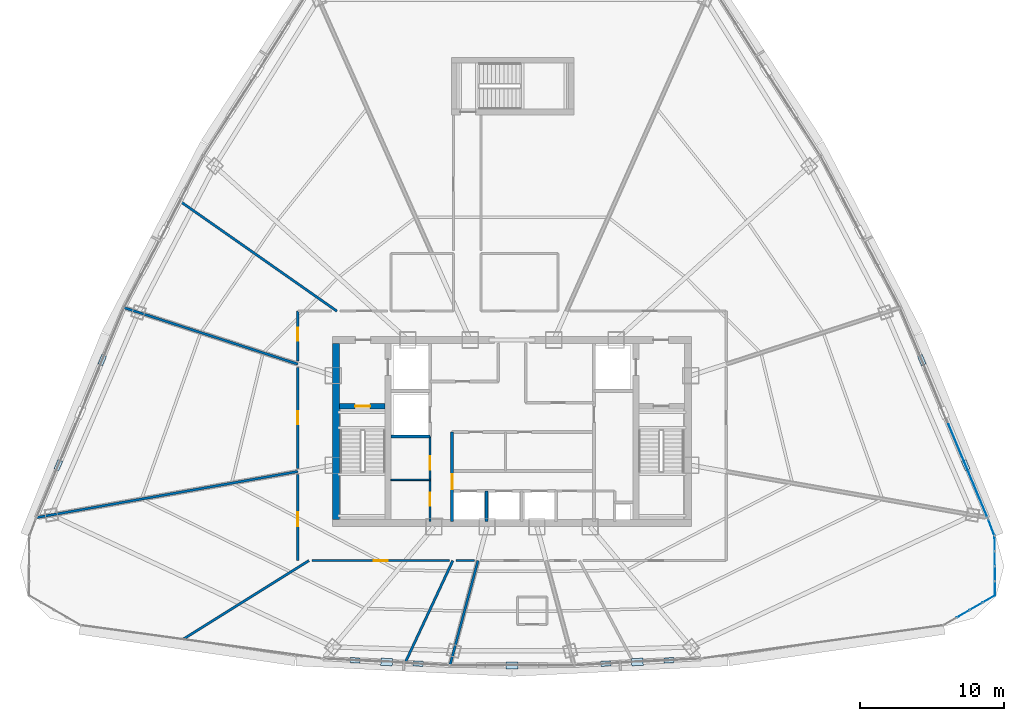
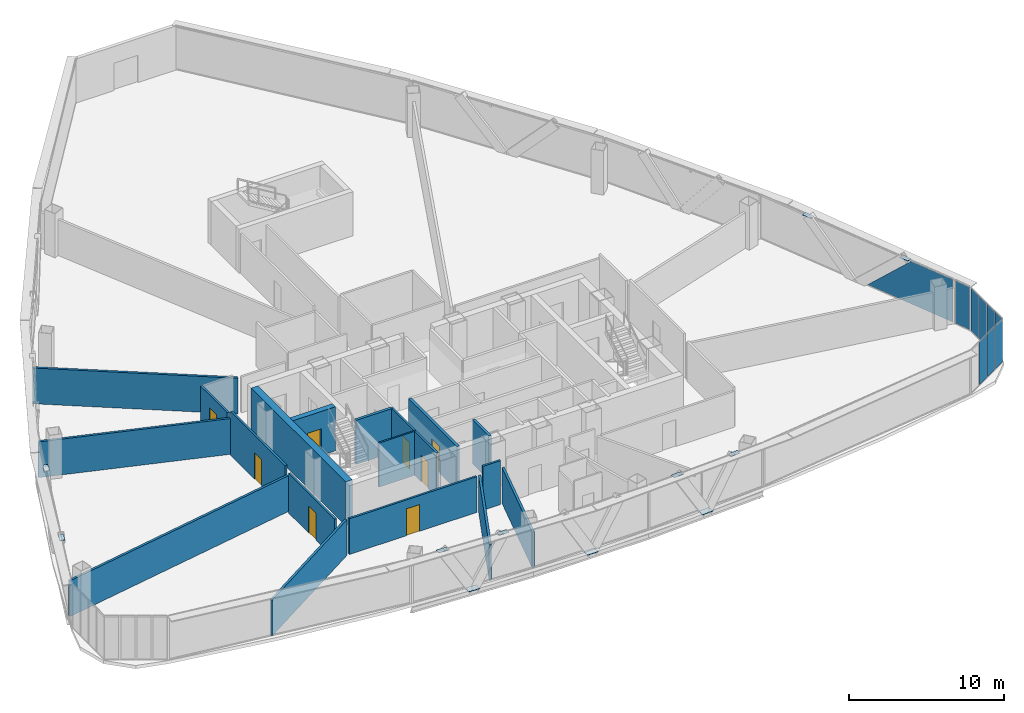
# One storey, part 29 of 36: 20 plates, 18 walls, 8 doors, 8 openings, 4 elements without a shape of their own.
"""IFC4 building model written with IfcOpenShell, lengths in metres."""

import ifcopenshell
import ifcopenshell.guid

model = None  # the IFC model being written
_history = None  # IfcOwnerHistory: only IFC2X3 demands one
_inside = {}  # id of a spatial element -> (the spatial element, [elements in it])
_under = {}  # id of a project, library or spatial element -> (it, [spatial elements below it])
_declared = {}  # id of a project -> (the project, [libraries it declares])
_typed = {}  # id of a type object -> (the type object, [elements of that type])
_made_of = {}  # id of a material, layer set ... -> (it, [elements and type objects made of it])


def new_model(schema):
    """Start an empty IFC model of exactly this schema.

    Asked for "IFC4X3", IfcOpenShell would pick the latest addendum, in which some entities
    have other attributes; the version numbers below select the first issue.
    IFC2X3 requires an IfcOwnerHistory on every rooted entity: one is made here for all.
    """
    global model, _history
    if schema == "IFC4X3":
        model = ifcopenshell.file(schema_version=(4, 3, 0, 0))
    else:
        model = ifcopenshell.file(schema=schema)
    _inside.clear()
    _under.clear()
    _declared.clear()
    _typed.clear()
    _made_of.clear()
    _history = None
    if model.schema == "IFC2X3":
        org = make("IfcOrganization", Name="unknown")
        user = make(
            "IfcPersonAndOrganization",
            ThePerson=make("IfcPerson", FamilyName="unknown"),
            TheOrganization=org,
        )
        app = make(
            "IfcApplication",
            ApplicationDeveloper=org,
            Version="unknown",
            ApplicationFullName="unknown",
            ApplicationIdentifier="unknown",
        )
        _history = make(
            "IfcOwnerHistory",
            OwningUser=user,
            OwningApplication=app,
            ChangeAction="ADDED",
            CreationDate=0,
        )
    return model


def make(cls, **values):
    """One entity of the class cls with the attributes given. An attribute that is None is left unset."""
    return model.create_entity(
        cls, **{name: value for name, value in values.items() if value is not None}
    )


def rooted(cls, **values):
    """An entity with a GlobalId (a new one), such as an element, a storey or a relation."""
    return make(cls, GlobalId=ifcopenshell.guid.new(), OwnerHistory=_history, **values)


def si_unit(unit_type, name, prefix=None):
    """IfcSIUnit, for example si_unit("LENGTHUNIT", "METRE", prefix="MILLI")."""
    return make("IfcSIUnit", UnitType=unit_type, Prefix=prefix, Name=name)


def assignment(units):
    """IfcUnitAssignment: the units of a project."""
    return None if units is None else make("IfcUnitAssignment", Units=units)


def point(xyz):
    """IfcCartesianPoint."""
    return None if xyz is None else make("IfcCartesianPoint", Coordinates=xyz)


def direction(xyz):
    """IfcDirection."""
    return None if xyz is None else make("IfcDirection", DirectionRatios=xyz)


def frame(location, z_axis=None, x_axis=None):
    """IfcAxis2Placement3D, a coordinate frame: its origin and axes. An axis left out is left unset."""
    return make(
        "IfcAxis2Placement3D",
        Location=point(location),
        Axis=direction(z_axis),
        RefDirection=direction(x_axis),
    )


def frame_2d(location, x_axis=None):
    """IfcAxis2Placement2D, a coordinate frame in the plane: its origin and x axis."""
    return make(
        "IfcAxis2Placement2D", Location=point(location), RefDirection=direction(x_axis)
    )


def origin():
    """The frame at (0, 0, 0) with its axes left unset."""
    return frame((0.0, 0.0, 0.0))


def origin_with_axes():
    """The frame at (0, 0, 0) with the z axis (0, 0, 1) and the x axis (1, 0, 0) written out."""
    return frame((0.0, 0.0, 0.0), z_axis=(0.0, 0.0, 1.0), x_axis=(1.0, 0.0, 0.0))


def origin_2d():
    """The frame at (0, 0) in the plane with its x axis left unset."""
    return frame_2d((0.0, 0.0))


def place(relative_to, where):
    """IfcLocalPlacement: puts the frame where relative to a parent placement (None: the world)."""
    return make(
        "IfcLocalPlacement", PlacementRelTo=relative_to, RelativePlacement=where
    )


def context(
    kind, dimensions, precision=None, world=None, true_north=None, identifier=None
):
    """IfcGeometricRepresentationContext, for example the 3D "Model" context."""
    return make(
        "IfcGeometricRepresentationContext",
        ContextIdentifier=identifier,
        ContextType=kind,
        CoordinateSpaceDimension=dimensions,
        Precision=precision,
        WorldCoordinateSystem=world,
        TrueNorth=true_north,
    )


def subcontext(parent, identifier, kind, view, scale=None):
    """IfcGeometricRepresentationSubContext, for example "Body" below "Model"."""
    return make(
        "IfcGeometricRepresentationSubContext",
        ContextIdentifier=identifier,
        ContextType=kind,
        ParentContext=parent,
        TargetScale=scale,
        TargetView=view,
    )


def project(units=None, contexts=None):
    """IfcProject with its units and contexts."""
    return rooted(
        "IfcProject",
        Name="project",
        RepresentationContexts=contexts,
        UnitsInContext=assignment(units),
    )


def spatial(cls, under=None, at=None, **own):
    """A site, building, storey or space (cls), placed at a placement, below another one or the project."""
    s = rooted(cls, ObjectPlacement=at, **own)
    if under is not None:
        _under.setdefault(under.id(), (under, []))[1].append(s)
    return s


def polyline(points):
    """IfcPolyline through the points."""
    return make("IfcPolyline", Points=[point(p) for p in points])


def profile(cls, at=None, kind="AREA", **sizes):
    """A parametric profile (cls). Its sizes go by their IFC names, for example OverallWidth=200.0."""
    return make(cls, ProfileType=kind, Position=at, **sizes)


def rectangle(**sizes):
    """IfcRectangleProfileDef."""
    return profile("IfcRectangleProfileDef", **sizes)


def outline(outer, holes=None, kind="AREA"):
    """IfcArbitraryClosedProfileDef: a profile drawn as a closed curve; with holes, ...WithVoids."""
    if holes is None:
        return make("IfcArbitraryClosedProfileDef", ProfileType=kind, OuterCurve=outer)
    return make(
        "IfcArbitraryProfileDefWithVoids",
        ProfileType=kind,
        OuterCurve=outer,
        InnerCurves=holes,
    )


def extrude(swept, where, along, depth):
    """IfcExtrudedAreaSolid: the profile swept, set in the frame where, extruded along a direction by depth."""
    return make(
        "IfcExtrudedAreaSolid",
        SweptArea=swept,
        Position=where,
        ExtrudedDirection=direction(along),
        Depth=depth,
    )


def shape(context_of_items, identifier, shape_type, items):
    """IfcShapeRepresentation: the items that make up one representation, for example the "Body"."""
    return make(
        "IfcShapeRepresentation",
        ContextOfItems=context_of_items,
        RepresentationIdentifier=identifier,
        RepresentationType=shape_type,
        Items=items,
    )


def source(mapping_origin, context_of_items, identifier, shape_type, items):
    """IfcRepresentationMap: a shape defined once, which mapped items show again and again."""
    return make(
        "IfcRepresentationMap",
        MappingOrigin=mapping_origin,
        MappedRepresentation=shape(context_of_items, identifier, shape_type, items),
    )


def transform(
    local_origin,
    x_axis=None,
    y_axis=None,
    z_axis=None,
    scale=None,
    scale2=None,
    scale3=None,
    uniform=True,
):
    """IfcCartesianTransformationOperator3D, or its non-uniform kind. x_axis, y_axis, z_axis: its Axis1, 2, 3."""
    if uniform:
        return make(
            "IfcCartesianTransformationOperator3D",
            Axis1=direction(x_axis),
            Axis2=direction(y_axis),
            LocalOrigin=point(local_origin),
            Scale=scale,
            Axis3=direction(z_axis),
        )
    return make(
        "IfcCartesianTransformationOperator3DnonUniform",
        Axis1=direction(x_axis),
        Axis2=direction(y_axis),
        LocalOrigin=point(local_origin),
        Scale=scale,
        Axis3=direction(z_axis),
        Scale2=scale2,
        Scale3=scale3,
    )


def mapped(mapping_source, mapping_target):
    """IfcMappedItem: shows the shape of a source again, moved by a transform."""
    return make(
        "IfcMappedItem", MappingSource=mapping_source, MappingTarget=mapping_target
    )


def material(Name=None, Category=None):
    """IfcMaterial."""
    return make("IfcMaterial", Name=Name, Category=Category)


def layer(
    of_material, thickness, ventilated=None, Name=None, Category=None, Priority=None
):
    """IfcMaterialLayer: one layer of a wall or slab, of a material (None: an air gap)."""
    return make(
        "IfcMaterialLayer",
        Material=of_material,
        LayerThickness=thickness,
        IsVentilated=ventilated,
        Name=Name,
        Category=Category,
        Priority=Priority,
    )


def layer_set(layers, Name=None):
    """IfcMaterialLayerSet."""
    return make("IfcMaterialLayerSet", MaterialLayers=layers, LayerSetName=Name)


def made_of(thing, what):
    """Note that an element or type object is made of a material, layer set ...; save() writes the relation."""
    if what is not None:
        _made_of.setdefault(what.id(), (what, []))[1].append(thing)
    return thing


def type_object(cls, material=None, **own):
    """A type object (cls), such as IfcWallType, which elements share."""
    return made_of(rooted(cls, **own), material)


def element(
    cls,
    number,
    at=None,
    inside=None,
    cuts=None,
    type_object=None,
    material=None,
    context=None,
    identifier="Body",
    shape_type=None,
    held_by="IfcProductDefinitionShape",
    body=None,
    shapes=None,
    **own,
):
    """One element of the class cls, such as IfcWall. Its Tag is "e" and its number.

    at: its placement. inside: the storey or other place that contains it. cuts: it is an
    opening in that element (IfcRelVoidsElement). A single representation is given by context,
    identifier, shape_type and body (its items); several are given by shapes. held_by: the class
    of the entity that holds the representations. save() writes the other relations.
    """
    e = rooted(cls, Tag="e%d" % number, ObjectPlacement=at, **own)
    if body is not None:
        shapes = [shape(context, identifier, shape_type, body)]
    if shapes is not None:
        e.Representation = make(held_by, Representations=shapes)
    if inside is not None:
        _inside.setdefault(inside.id(), (inside, []))[1].append(e)
    if cuts is not None:
        rooted(
            "IfcRelVoidsElement", RelatingBuildingElement=cuts, RelatedOpeningElement=e
        )
    if type_object is not None:
        _typed.setdefault(type_object.id(), (type_object, []))[1].append(e)
    return made_of(e, material)


def fill(opening, filler):
    """IfcRelFillsElement: the door or window that sits in an opening."""
    return rooted(
        "IfcRelFillsElement",
        RelatingOpeningElement=opening,
        RelatedBuildingElement=filler,
    )


def aggregate(whole, parts):
    """IfcRelAggregates: a whole, such as a stair, and the parts it consists of."""
    return rooted("IfcRelAggregates", RelatingObject=whole, RelatedObjects=parts)


def save(model, path):
    """Write the relations noted so far, then the file.

    IfcRelAggregates (storeys below a building ...), IfcRelContainedInSpatialStructure (elements
    in a storey), IfcRelDefinesByType, IfcRelAssociatesMaterial and IfcRelDeclares: one each for
    every whole, place, type object, material and project.
    """
    for whole, parts in _under.values():
        aggregate(whole, parts)
    for where, things in _inside.values():
        rooted(
            "IfcRelContainedInSpatialStructure",
            RelatedElements=things,
            RelatingStructure=where,
        )
    for kind, things in _typed.values():
        rooted("IfcRelDefinesByType", RelatedObjects=things, RelatingType=kind)
    for what, things in _made_of.values():
        rooted("IfcRelAssociatesMaterial", RelatedObjects=things, RelatingMaterial=what)
    for by, libraries in _declared.values():
        rooted("IfcRelDeclares", RelatingContext=by, RelatedDefinitions=libraries)
    model.write(path)


model = new_model("IFC4")

# Units and contexts
model_context = context("Model", 3, precision=1e-05, world=origin(), true_north=direction((0.0, 1.0)))
body_context = subcontext(model_context, "Body", "Model", "MODEL_VIEW")
ifc_project = project(units=[si_unit("LENGTHUNIT", "METRE"), si_unit("AREAUNIT", "SQUARE_METRE"), si_unit("VOLUMEUNIT", "CUBIC_METRE"), si_unit("PLANEANGLEUNIT", "RADIAN"), si_unit("MASSUNIT", "GRAM", prefix="KILO"), si_unit("THERMODYNAMICTEMPERATUREUNIT", "KELVIN"), si_unit("POWERUNIT", "WATT")], contexts=[model_context])

# Site, building, storey
site_placement = place(None, origin())
site = spatial("IfcSite", under=ifc_project, at=site_placement, CompositionType="ELEMENT")
building_placement = place(site_placement, origin())
building = spatial("IfcBuilding", under=site, at=building_placement, Name="Yunzhuo Pagoda Commons", CompositionType="ELEMENT")
storey_placement = place(building_placement, frame((0.0, 0.0, 263.179931640625)))
storey = spatial("IfcBuildingStorey", under=building, at=storey_placement, Name="L66", CompositionType="ELEMENT", Elevation=263.179931640625)

# Curtain wall, plate
ifc_material_1 = material(Name="Anodized aluminium 6063-T6", Category="aluminium")
ifc_layer_1 = layer(ifc_material_1, 0.139892578125)
ifc_layer_set_1 = layer_set([ifc_layer_1], Name="Anodized aluminium 6063-T6")
curtain_wall_type_1 = type_object("IfcCurtainWallType", Name="CW-HI High-Zone Ribbon Curtain Wall", PredefinedType="NOTDEFINED", material=ifc_layer_set_1)
curtain_wall_1_placement = place(storey_placement, origin())
curtain_wall_1 = element("IfcCurtainWall", 1, at=curtain_wall_1_placement, inside=storey, type_object=curtain_wall_type_1, Name="L66 curtain wall CW-L66-F2B2", PredefinedType="NOTDEFINED")
ifc_material_2 = material(Name="Tempered low-e double glazing", Category="glass")
ifc_layer_2 = layer(ifc_material_2, 0.02587890625)
ifc_layer_set_2 = layer_set([ifc_layer_2], Name="Tempered low-e double glazing")
plate_type_1 = type_object("IfcPlateType", Name="CW-HI-P Low-E Double Glazing 26", PredefinedType="CURTAIN_PANEL", material=ifc_layer_set_2)
plate_1_placement = place(storey_placement, frame((79.596435546875, 31.138427734375, 1.735107421875), z_axis=(0.922909845486, 0.385016125772, 0.0), x_axis=(-0.385016125772, 0.922909845486, 0.0)))
plate_1 = element("IfcPlate", 2, at=plate_1_placement, type_object=plate_type_1, Name="CW panel 1.1 lite 1", PredefinedType="CURTAIN_PANEL", context=body_context, shape_type="SweptSolid", body=[
    extrude(outline(polyline([(-3.468994140625, -1.679931640625), (3.468994140625, -1.679931640625), (-0.081787109375, 1.679931640625), (-3.468994140625, 1.679931640625), (-3.468994140625, -1.679931640625)])), origin(), (0.0, 0.0, 1.0), 0.028076171875),
])
aggregate(curtain_wall_1, [plate_1])

# Plates
ifc_material_3 = material(Name="Structural steel Q355B", Category="steel")
ifc_layer_3 = layer(ifc_material_3, 0.028076171875)
ifc_layer_set_3 = layer_set([ifc_layer_3], Name="Structural steel Q355B")
plate_type_2 = type_object("IfcPlateType", Name="SP-ND1 Lattice Node Cap Plate 800x500x28", PredefinedType="USERDEFINED", material=ifc_layer_set_3)
shared_shape_1 = source(origin(), body_context, "Body", "SweptSolid", [
    extrude(rectangle(XDim=0.800048828125, YDim=0.5, at=origin_2d()), origin(), (0.0, 0.0, 1.0), 0.028076171875),
])
for number, where, z_axis, x_axis, name in (
    (3, (39.307373046875, 17.87451171875, -0.27392578125), (0.0, 0.0, 1.0), (0.998571384692, -0.053433974907, 0.0), "L66 diamond node plate F1.1A"),
    (4, (48.0, 17.6396484375, -0.27392578125), (0.0, 0.0, 1.0), (1.0, 0.0, 0.0), "L66 diamond node plate F1.2A"),
    (5, (56.692626953125, 17.87451171875, -0.27392578125), (0.0, 0.0, 1.0), (0.998571384692, 0.053433974907, 0.0), "L66 diamond node plate F1.3A"),
):
    element("IfcPlate", number, at=place(storey_placement, frame(where, z_axis=z_axis, x_axis=x_axis)), inside=storey, type_object=plate_type_2, Name=name, ObjectType="STIFFENER_PLATE", PredefinedType="USERDEFINED", context=body_context, shape_type="MappedRepresentation", body=[
        mapped(shared_shape_1, transform((0.0, 0.0, 0.0), scale=1.0)),
    ])
shared_shape_2 = source(origin(), body_context, "Body", "SweptSolid", [
    extrude(rectangle(XDim=0.699951171875, YDim=0.35009765625, at=origin_2d()), origin(), (0.0, 0.0, 1.0), 0.035888671875),
])
for number, where, z_axis, x_axis, name in (
    (6, (37.112548828125, 17.991943359375, 3.43212890625), (0.0, 0.0, 1.0), (0.998571384692, -0.053433974907, 0.0), "L66 setback lattice tie plate F1.1L"),
    (7, (41.501953125, 17.757080078125, 3.43212890625), (0.0, 0.0, 1.0), (0.998571384692, -0.053433974907, 0.0), "L66 setback lattice tie plate F1.1R"),
    (8, (54.498046875, 17.757080078125, 3.43212890625), (0.0, 0.0, 1.0), (0.998571384692, 0.053433974907, 0.0), "L66 setback lattice tie plate F1.3L"),
    (9, (58.887451171875, 17.991943359375, 3.43212890625), (0.0, 0.0, 1.0), (0.998571384692, 0.053433974907, 0.0), "L66 setback lattice tie plate F1.3R"),
    (10, (79.450439453125, 31.52490234375, 3.43212890625), (0.0, 0.0, 1.0), (-0.385020291668, 0.922908107562, 0.0), "L66 setback lattice tie plate F2.1L"),
    (11, (76.414794921875, 38.80126953125, 3.43212890625), (0.0, 0.0, 1.0), (-0.385020291668, 0.922908107562, 0.0), "L66 setback lattice tie plate F2.1R"),
    (12, (19.585205078125, 38.80126953125, 3.43212890625), (0.0, 0.0, 1.0), (-0.385020291668, -0.922908107562, 0.0), "L66 setback lattice tie plate F3.3L"),
    (13, (16.549560546875, 31.52490234375, 3.43212890625), (0.0, 0.0, 1.0), (-0.385020291668, -0.922908107562, 0.0), "L66 setback lattice tie plate F3.3R"),
):
    element("IfcPlate", number, at=place(storey_placement, frame(where, z_axis=z_axis, x_axis=x_axis)), inside=storey, type_object=plate_type_2, Name=name, ObjectType="STIFFENER_PLATE", PredefinedType="USERDEFINED", context=body_context, shape_type="MappedRepresentation", body=[
        mapped(shared_shape_2, transform((0.0, 0.0, 0.0), scale=1.0)),
    ])

# Curtain wall, plate
curtain_wall_2_placement = place(storey_placement, origin())
curtain_wall_2 = element("IfcCurtainWall", 14, at=curtain_wall_2_placement, inside=storey, type_object=curtain_wall_type_1, Name="L66 curtain wall CW-L66-F2B1", PredefinedType="NOTDEFINED")
shared_shape_3 = source(origin(), body_context, "Body", "SweptSolid", [
    extrude(rectangle(XDim=1.1962890625, YDim=0.028076171875, at=origin_2d()), origin(), (0.0, 0.0, 1.0), 3.360107421875),
])
plate_2_placement = place(storey_placement, frame((81.230712890625, 27.202392578125, 0.05517578125), z_axis=(0.0, 0.0, 1.0), x_axis=(-0.358123676077, 0.933674157634, 0.0)))
plate_2 = element("IfcPlate", 15, at=plate_2_placement, type_object=plate_type_1, Name="CW panel 1.1", PredefinedType="CURTAIN_PANEL", context=body_context, shape_type="MappedRepresentation", body=[
    mapped(shared_shape_3, transform((0.0, 0.0, 0.0), scale=1.0)),
])
aggregate(curtain_wall_2, [plate_2])

ifc_layer_4 = layer(ifc_material_1, 0.1298828125)
ifc_layer_set_4 = layer_set([ifc_layer_4], Name="Anodized aluminium 6063-T6")
curtain_wall_type_2 = type_object("IfcCurtainWallType", Name="CW-VTX Rounded Corner Curtain Wall", PredefinedType="NOTDEFINED", material=ifc_layer_set_4)
curtain_wall_3_placement = place(storey_placement, origin())
curtain_wall_3 = element("IfcCurtainWall", 16, at=curtain_wall_3_placement, inside=storey, type_object=curtain_wall_type_2, Name="L66 curtain wall CW-L66-VTX2S1", PredefinedType="NOTDEFINED")
ifc_layer_5 = layer(ifc_material_2, 0.02587890625)
ifc_layer_set_5 = layer_set([ifc_layer_5], Name="Tempered low-e double glazing")
plate_type_3 = type_object("IfcPlateType", Name="CW-VTX-P Low-E Double Glazing 26", PredefinedType="CURTAIN_PANEL", material=ifc_layer_set_5)
shared_shape_4 = source(origin(), body_context, "Body", "SweptSolid", [
    extrude(rectangle(XDim=0.955810546875, YDim=0.028076171875, at=origin_2d()), origin(), (0.0, 0.0, 1.0), 3.360107421875),
])
plate_3_placement = place(storey_placement, frame((81.06005859375, 22.2373046875, 0.05517578125), z_axis=(0.0, 0.0, 1.0), x_axis=(0.865431780539, 0.501026778958, 0.0)))
plate_3 = element("IfcPlate", 17, at=plate_3_placement, type_object=plate_type_3, Name="CW panel 4.1", PredefinedType="CURTAIN_PANEL", context=body_context, shape_type="MappedRepresentation", body=[
    mapped(shared_shape_4, transform((0.0, 0.0, 0.0), scale=1.0)),
])

# Curtain wall, plates
curtain_wall_4_placement = place(storey_placement, origin())
curtain_wall_4 = element("IfcCurtainWall", 18, at=curtain_wall_4_placement, inside=storey, type_object=curtain_wall_type_2, Name="L66 curtain wall CW-L66-VTX2S2", PredefinedType="NOTDEFINED")
plate_4_placement = place(storey_placement, frame((81.4794921875, 22.9677734375, 0.05517578125), z_axis=(0.0, 0.0, 1.0), x_axis=(-0.003587744782, 0.999993564023, 0.0)))
plate_4 = element("IfcPlate", 19, at=plate_4_placement, type_object=plate_type_3, Name="CW panel 1.1", PredefinedType="CURTAIN_PANEL", context=body_context, shape_type="MappedRepresentation", body=[
    mapped(shared_shape_4, transform((0.0, 0.0, 0.0), scale=1.0)),
])
plate_5_placement = place(storey_placement, frame((81.46826171875, 26.054931640625, 0.05517578125), z_axis=(0.0, 0.0, 1.0), x_axis=(-0.003587744782, 0.999993564023, 0.0)))
plate_5 = element("IfcPlate", 20, at=plate_5_placement, type_object=plate_type_3, Name="CW panel 4.1", PredefinedType="CURTAIN_PANEL", context=body_context, shape_type="MappedRepresentation", body=[
    mapped(shared_shape_4, transform((0.0, 0.0, 0.0), scale=1.0)),
])

# Plate
shared_shape_5 = source(origin(), body_context, "Body", "SweptSolid", [
    extrude(rectangle(XDim=0.983154296875, YDim=0.028076171875, at=origin_2d()), origin(), (0.0, 0.0, 1.0), 3.360107421875),
])
plate_6_placement = place(storey_placement, frame((79.27490234375, 21.203857421875, 0.05517578125), z_axis=(0.0, 0.0, 1.0), x_axis=(0.865431780539, 0.501026778958, 0.0)))
plate_6 = element("IfcPlate", 21, at=plate_6_placement, type_object=plate_type_3, Name="CW panel 2.1", PredefinedType="CURTAIN_PANEL", context=body_context, shape_type="MappedRepresentation", body=[
    mapped(shared_shape_5, transform((0.0, 0.0, 0.0), scale=1.0)),
])

plate_7_placement = place(storey_placement, frame((80.17333984375, 21.72412109375, 0.05517578125), z_axis=(0.0, 0.0, 1.0), x_axis=(0.865431780539, 0.501026778958, 0.0)))
plate_7 = element("IfcPlate", 22, at=plate_7_placement, type_object=plate_type_3, Name="CW panel 3.1", PredefinedType="CURTAIN_PANEL", context=body_context, shape_type="MappedRepresentation", body=[
    mapped(shared_shape_5, transform((0.0, 0.0, 0.0), scale=1.0)),
])

aggregate(curtain_wall_3, [plate_6, plate_7, plate_3])

plate_8_placement = place(storey_placement, frame((81.475830078125, 23.9921875, 0.05517578125), z_axis=(0.0, 0.0, 1.0), x_axis=(-0.003587744782, 0.999993564023, 0.0)))
plate_8 = element("IfcPlate", 23, at=plate_8_placement, type_object=plate_type_3, Name="CW panel 2.1", PredefinedType="CURTAIN_PANEL", context=body_context, shape_type="MappedRepresentation", body=[
    mapped(shared_shape_5, transform((0.0, 0.0, 0.0), scale=1.0)),
])

plate_9_placement = place(storey_placement, frame((81.471923828125, 25.030517578125, 0.05517578125), z_axis=(0.0, 0.0, 1.0), x_axis=(-0.003587744782, 0.999993564023, 0.0)))
plate_9 = element("IfcPlate", 24, at=plate_9_placement, type_object=plate_type_3, Name="CW panel 3.1", PredefinedType="CURTAIN_PANEL", context=body_context, shape_type="MappedRepresentation", body=[
    mapped(shared_shape_5, transform((0.0, 0.0, 0.0), scale=1.0)),
])

aggregate(curtain_wall_4, [plate_4, plate_8, plate_9, plate_5])

# Wall
ifc_material_4 = material(Name="Concrete C50", Category="concrete")
ifc_layer_6 = layer(ifc_material_4, 0.5)
ifc_layer_set_6 = layer_set([ifc_layer_6], Name="Concrete C50")
wall_type_1 = type_object("IfcWallType", Name="W-C03 Upper Core Shear Wall 500", PredefinedType="SHEAR", material=ifc_layer_set_6)
wall_1_placement = place(storey_placement, frame((35.800048828125, 27.75, 0.0), z_axis=(0.0, 0.0, 1.0), x_axis=(0.0, 1.0, 0.0)))
element("IfcWall", 25, at=wall_1_placement, inside=storey, type_object=wall_type_1, Name="L66 core shear wall W", PredefinedType="SHEAR", context=body_context, shape_type="SweptSolid", body=[
    extrude(rectangle(XDim=12.199951171875, YDim=0.5, at=frame_2d((6.10009765625, 0.0))), origin(), (0.0, 0.0, 1.0), 3.469970703125),
])

# Wall, openings, doors
ifc_material_5 = material(Name="Gypsum plasterboard on acoustic stud")
ifc_layer_7 = layer(ifc_material_5, 0.14990234375)
ifc_layer_set_7 = layer_set([ifc_layer_7], Name="Gypsum plasterboard on acoustic stud")
wall_type_2 = type_object("IfcWallType", Name="W-COR3 High-Zone Rated Corridor Wall 150", PredefinedType="PARTITIONING", material=ifc_layer_set_7)
wall_2_placement = place(storey_placement, frame((42.320068359375, 27.60009765625, 0.0), z_axis=(0.0, 0.0, 1.0), x_axis=(0.0, 1.0, 0.0)))
wall_2 = element("IfcWall", 26, at=wall_2_placement, inside=storey, type_object=wall_type_2, Name="L66 interior wall IW-L66-CSWE", PredefinedType="PARTITIONING", context=body_context, shape_type="SweptSolid", body=[
    extrude(rectangle(XDim=5.89990234375, YDim=0.14990234375, at=frame_2d((2.949951171875, 0.0))), origin(), (0.0, 0.0, 1.0), 3.469970703125),
])
opening_1_placement = place(wall_2_placement, frame((1.10009765625, 0.0, 0.0)))
opening_1 = element("IfcOpeningElement", 27, at=opening_1_placement, cuts=wall_2, Name="Opening D-03", PredefinedType="OPENING", context=body_context, shape_type="SweptSolid", body=[
    extrude(rectangle(XDim=0.89990234375, YDim=2.10009765625, at=frame_2d((0.449951171875, 1.050048828125))), frame((0.0, 0.0849609375, 0.0), z_axis=(0.0, -1.0, 0.0), x_axis=(1.0, 0.0, 0.0)), (0.0, 0.0, 1.0), 0.169921875),
])
opening_2_placement = place(wall_2_placement, frame((3.60009765625, 0.0, 0.0)))
opening_2 = element("IfcOpeningElement", 28, at=opening_2_placement, cuts=wall_2, Name="Opening D-11", PredefinedType="OPENING", context=body_context, shape_type="SweptSolid", body=[
    extrude(rectangle(XDim=0.93994140625, YDim=2.10009765625, at=frame_2d((0.469970703125, 1.050048828125))), frame((0.0, 0.0849609375, 0.0), z_axis=(0.0, -1.0, 0.0), x_axis=(1.0, 0.0, 0.0)), (0.0, 0.0, 1.0), 0.169921875),
])
ifc_material_6 = material(Name="Galvanized fire-resisting metal leaf")
door_type_1 = type_object("IfcDoorType", Name="D-03 Core Service Fire Door 900x2100", OperationType="NOTDEFINED", PredefinedType="DOOR", material=ifc_material_6)
shared_shape_6 = source(origin(), body_context, "Body", "SweptSolid", [
    extrude(rectangle(XDim=0.89990234375, YDim=2.10009765625, at=frame_2d((0.449951171875, 1.050048828125))), frame((0.0, 0.02490234375, 0.0), z_axis=(0.0, -1.0, 0.0), x_axis=(1.0, 0.0, 0.0)), (0.0, 0.0, 1.0), 0.050048828125),
])
door_1_placement = place(opening_1_placement, origin_with_axes())
door_1 = element("IfcDoor", 29, at=door_1_placement, inside=storey, type_object=door_type_1, Name="L66 housekeeping door", OperationType="SINGLE_SWING_RIGHT", OverallHeight=2.10009765625, OverallWidth=0.89990234375, PredefinedType="DOOR", context=body_context, shape_type="MappedRepresentation", body=[
    mapped(shared_shape_6, transform((0.0, 0.0, 0.0), scale=1.0)),
])
fill(opening_1, door_1)
door_type_2 = type_object("IfcDoorType", Name="D-11 Accessible Washroom Fire Door 940x2100", OperationType="NOTDEFINED", PredefinedType="DOOR", material=ifc_material_6)
shared_shape_7 = source(origin(), body_context, "Body", "SweptSolid", [
    extrude(rectangle(XDim=0.93994140625, YDim=2.10009765625, at=frame_2d((0.469970703125, 1.050048828125))), frame((0.0, 0.02490234375, 0.0), z_axis=(0.0, -1.0, 0.0), x_axis=(1.0, 0.0, 0.0)), (0.0, 0.0, 1.0), 0.050048828125),
])
door_2_placement = place(opening_2_placement, origin_with_axes())
door_2 = element("IfcDoor", 30, at=door_2_placement, inside=storey, type_object=door_type_2, Name="L66 core WC door", OperationType="SINGLE_SWING_RIGHT", OverallHeight=2.10009765625, OverallWidth=0.93994140625, PredefinedType="DOOR", context=body_context, shape_type="MappedRepresentation", body=[
    mapped(shared_shape_7, transform((0.0, 0.0, 0.0), scale=1.0)),
])
fill(opening_2, door_2)

# Wall, opening, door
wall_3_placement = place(storey_placement, frame((33.14990234375, 24.89990234375, 0.0), z_axis=(0.0, 0.0, 1.0), x_axis=(0.0, 1.0, 0.0)))
wall_3 = element("IfcWall", 31, at=wall_3_placement, inside=storey, type_object=wall_type_2, Name="L66 interior wall IW-L66-CWL01", PredefinedType="PARTITIONING", context=body_context, shape_type="SweptSolid", body=[
    extrude(rectangle(XDim=5.958251953125, YDim=0.14990234375, at=frame_2d((2.97900390625, 0.0))), origin(), (0.0, 0.0, 1.0), 3.1201171875),
])
opening_3_placement = place(wall_3_placement, frame((2.3857421875, 0.0, 0.0)))
opening_3 = element("IfcOpeningElement", 32, at=opening_3_placement, cuts=wall_3, Name="Opening D-08", PredefinedType="OPENING", context=body_context, shape_type="SweptSolid", body=[
    extrude(rectangle(XDim=0.97998046875, YDim=2.1201171875, at=frame_2d((0.489990234375, 1.06005859375))), frame((0.0, 0.0849609375, 0.0), z_axis=(0.0, -1.0, 0.0), x_axis=(1.0, 0.0, 0.0)), (0.0, 0.0, 1.0), 0.169921875),
])
door_type_3 = type_object("IfcDoorType", Name="D-08 High-Zone Suite Entrance Fire Door 980x2120", OperationType="NOTDEFINED", PredefinedType="DOOR", material=ifc_material_6)
shared_shape_8 = source(origin(), body_context, "Body", "SweptSolid", [
    extrude(rectangle(XDim=0.97998046875, YDim=2.1201171875, at=frame_2d((0.489990234375, 1.06005859375))), frame((0.0, 0.02490234375, 0.0), z_axis=(0.0, -1.0, 0.0), x_axis=(1.0, 0.0, 0.0)), (0.0, 0.0, 1.0), 0.050048828125),
])
door_3_placement = place(opening_3_placement, origin_with_axes())
door_3 = element("IfcDoor", 33, at=door_3_placement, inside=storey, type_object=door_type_3, Name="L66 unit 07 entrance door", OperationType="SINGLE_SWING_RIGHT", OverallHeight=2.1201171875, OverallWidth=0.97998046875, PredefinedType="DOOR", context=body_context, shape_type="MappedRepresentation", body=[
    mapped(shared_shape_8, transform((0.0, 0.0, 0.0), scale=1.0)),
])
fill(opening_3, door_3)

wall_4_placement = place(storey_placement, frame((33.14990234375, 31.30126953125, 0.0), z_axis=(0.0, 0.0, 1.0), x_axis=(0.0, 1.0, 0.0)))
wall_4 = element("IfcWall", 34, at=wall_4_placement, inside=storey, type_object=wall_type_2, Name="L66 interior wall IW-L66-CWL02", PredefinedType="PARTITIONING", context=body_context, shape_type="SweptSolid", body=[
    extrude(rectangle(XDim=7.004150390625, YDim=0.14990234375, at=frame_2d((3.501953125, 0.0))), origin(), (0.0, 0.0, 1.0), 3.469970703125),
])
opening_4_placement = place(wall_4_placement, frame((3.0419921875, 0.0, 0.0)))
opening_4 = element("IfcOpeningElement", 35, at=opening_4_placement, cuts=wall_4, Name="Opening D-04", PredefinedType="OPENING", context=body_context, shape_type="SweptSolid", body=[
    extrude(rectangle(XDim=0.919921875, YDim=2.10009765625, at=frame_2d((0.4599609375, 1.050048828125))), frame((0.0, 0.0849609375, 0.0), z_axis=(0.0, -1.0, 0.0), x_axis=(1.0, 0.0, 0.0)), (0.0, 0.0, 1.0), 0.169921875),
])
ifc_material_7 = material(Name="Powder-coated aluminium and timber acoustic leaf", Category="wood")
door_type_4 = type_object("IfcDoorType", Name="D-04 Bedroom & Study Interior Door 920x2100", OperationType="NOTDEFINED", PredefinedType="DOOR", material=ifc_material_7)
shared_shape_9 = source(origin(), body_context, "Body", "SweptSolid", [
    extrude(rectangle(XDim=0.919921875, YDim=2.10009765625, at=frame_2d((0.4599609375, 1.050048828125))), frame((0.0, 0.02490234375, 0.0), z_axis=(0.0, -1.0, 0.0), x_axis=(1.0, 0.0, 0.0)), (0.0, 0.0, 1.0), 0.050048828125),
])
door_4_placement = place(opening_4_placement, origin_with_axes())
door_4 = element("IfcDoor", 36, at=door_4_placement, inside=storey, type_object=door_type_4, Name="L66 seminar room 06 door", OperationType="SINGLE_SWING_LEFT", OverallHeight=2.10009765625, OverallWidth=0.919921875, PredefinedType="DOOR", context=body_context, shape_type="MappedRepresentation", body=[
    mapped(shared_shape_9, transform((0.0, 0.0, 0.0), scale=1.0)),
])
fill(opening_4, door_4)

wall_5_placement = place(storey_placement, frame((33.14990234375, 38.75634765625, 0.0), z_axis=(0.0, 0.0, 1.0), x_axis=(0.0, 1.0, 0.0)))
wall_5 = element("IfcWall", 37, at=wall_5_placement, inside=storey, type_object=wall_type_2, Name="L66 interior wall IW-L66-CWL03", PredefinedType="PARTITIONING", context=body_context, shape_type="SweptSolid", body=[
    extrude(rectangle(XDim=3.443603515625, YDim=0.14990234375, at=frame_2d((1.7216796875, 0.0))), origin(), (0.0, 0.0, 1.0), 3.1201171875),
])
opening_5_placement = place(wall_5_placement, frame((1.376220703125, 0.0, 0.0)))
opening_5 = element("IfcOpeningElement", 38, at=opening_5_placement, cuts=wall_5, Name="Opening D-04", PredefinedType="OPENING", context=body_context, shape_type="SweptSolid", body=[
    extrude(rectangle(XDim=0.919921875, YDim=2.10009765625, at=frame_2d((0.4599609375, 1.050048828125))), frame((0.0, 0.0849609375, 0.0), z_axis=(0.0, -1.0, 0.0), x_axis=(1.0, 0.0, 0.0)), (0.0, 0.0, 1.0), 0.169921875),
])
door_5_placement = place(opening_5_placement, origin_with_axes())
door_5 = element("IfcDoor", 39, at=door_5_placement, inside=storey, type_object=door_type_4, Name="L66 seminar room 05 door", OperationType="SINGLE_SWING_RIGHT", OverallHeight=2.10009765625, OverallWidth=0.919921875, PredefinedType="DOOR", context=body_context, shape_type="MappedRepresentation", body=[
    mapped(shared_shape_9, transform((0.0, 0.0, 0.0), scale=1.0)),
])
fill(opening_5, door_5)

# Wall
wall_6_placement = place(storey_placement, frame((45.414306640625, 24.89990234375, 0.0), z_axis=(0.0, 0.0, 1.0), x_axis=(-1.0, 0.0, 0.0)))
element("IfcWall", 40, at=wall_6_placement, inside=storey, type_object=wall_type_2, Name="L66 interior wall IW-L66-CWL15", PredefinedType="PARTITIONING", context=body_context, shape_type="SweptSolid", body=[
    extrude(rectangle(XDim=1.298095703125, YDim=0.14990234375, at=frame_2d((0.64892578125, 0.0))), origin(), (0.0, 0.0, 1.0), 3.469970703125),
])

# Wall, opening, door
wall_7_placement = place(storey_placement, frame((43.65380859375, 24.89990234375, 0.0), z_axis=(0.0, 0.0, 1.0), x_axis=(-1.0, 0.0, 0.0)))
wall_7 = element("IfcWall", 41, at=wall_7_placement, inside=storey, type_object=wall_type_2, Name="L66 interior wall IW-L66-CWL16", PredefinedType="PARTITIONING", context=body_context, shape_type="SweptSolid", body=[
    extrude(rectangle(XDim=9.516845703125, YDim=0.14990234375, at=frame_2d((4.75830078125, 0.0))), origin(), (0.0, 0.0, 1.0), 2.820068359375),
])
opening_6_placement = place(wall_7_placement, frame((4.27197265625, 0.0, 0.0)))
opening_6 = element("IfcOpeningElement", 42, at=opening_6_placement, cuts=wall_7, Name="Opening D-08", PredefinedType="OPENING", context=body_context, shape_type="SweptSolid", body=[
    extrude(rectangle(XDim=0.97998046875, YDim=2.1201171875, at=frame_2d((0.489990234375, 1.06005859375))), frame((0.0, 0.0849609375, 0.0), z_axis=(0.0, -1.0, 0.0), x_axis=(1.0, 0.0, 0.0)), (0.0, 0.0, 1.0), 0.169921875),
])
door_6_placement = place(opening_6_placement, origin_with_axes())
door_6 = element("IfcDoor", 43, at=door_6_placement, inside=storey, type_object=door_type_3, Name="L66 Academic Reading Commons 2 door", OperationType="SINGLE_SWING_LEFT", OverallHeight=2.1201171875, OverallWidth=0.97998046875, PredefinedType="DOOR", context=body_context, shape_type="MappedRepresentation", body=[
    mapped(shared_shape_8, transform((0.0, 0.0, 0.0), scale=1.0)),
])
fill(opening_6, door_6)

# Walls
ifc_layer_8 = layer(ifc_material_5, 0.1201171875)
ifc_layer_set_8 = layer_set([ifc_layer_8], Name="Gypsum plasterboard on acoustic stud")
wall_type_3 = type_object("IfcWallType", Name="W-PRT1 Suite & Bathroom Partition 120", PredefinedType="PARTITIONING", material=ifc_layer_set_8)
wall_8_placement = place(storey_placement, frame((39.60009765625, 30.5, 0.0), z_axis=(0.0, 0.0, 1.0), x_axis=(1.0, 0.0, 0.0)))
element("IfcWall", 44, at=wall_8_placement, inside=storey, type_object=wall_type_3, Name="L66 interior wall IW-L66-CB1", PredefinedType="PARTITIONING", context=body_context, shape_type="SweptSolid", body=[
    extrude(rectangle(XDim=2.719970703125, YDim=0.1201171875, at=frame_2d((1.35986328125, 0.0))), origin(), (0.0, 0.0, 1.0), 3.469970703125),
])
ifc_layer_9 = layer(ifc_material_5, 0.169921875)
ifc_layer_set_9 = layer_set([ifc_layer_9], Name="Gypsum plasterboard on acoustic stud")
wall_type_4 = type_object("IfcWallType", Name="W-PRT4 High-Zone Demising Wall 170", PredefinedType="PARTITIONING", material=ifc_layer_set_9)
wall_9_placement = place(storey_placement, frame((35.860595703125, 42.199951171875, 0.0), z_axis=(0.0, 0.0, 1.0), x_axis=(-0.819147381932, 0.57358309483, 0.0)))
element("IfcWall", 45, at=wall_9_placement, inside=storey, type_object=wall_type_4, Name="L66 interior wall IW-L66-RAD04", PredefinedType="PARTITIONING", context=body_context, shape_type="SweptSolid", body=[
    extrude(rectangle(XDim=13.29736328125, YDim=0.169921875, at=frame_2d((6.648681640625, 0.0))), origin(), (0.0, 0.0, 1.0), 2.820068359375),
])
wall_10_placement = place(storey_placement, frame((33.14990234375, 38.525146484375, 0.0), z_axis=(0.0, 0.0, 1.0), x_axis=(-0.951057436246, 0.309014163043, 0.0)))
element("IfcWall", 46, at=wall_10_placement, inside=storey, type_object=wall_type_4, Name="L66 interior wall IW-L66-RAD05", PredefinedType="PARTITIONING", context=body_context, shape_type="SweptSolid", body=[
    extrude(rectangle(XDim=12.6669921875, YDim=0.169921875, at=frame_2d((6.33349609375, 0.0))), origin(), (0.0, 0.0, 1.0), 2.820068359375),
])
wall_11_placement = place(storey_placement, frame((33.14990234375, 31.08154296875, 0.0), z_axis=(0.0, 0.0, 1.0), x_axis=(-0.984806394916, -0.173655879639, 0.0)))
element("IfcWall", 47, at=wall_11_placement, inside=storey, type_object=wall_type_4, Name="L66 interior wall IW-L66-RAD06", PredefinedType="PARTITIONING", context=body_context, shape_type="SweptSolid", body=[
    extrude(rectangle(XDim=18.3974609375, YDim=0.169921875, at=frame_2d((9.19873046875, 0.0))), origin(), (0.0, 0.0, 1.0), 2.820068359375),
])
wall_12_placement = place(storey_placement, frame((33.9169921875, 24.89990234375, 0.0), z_axis=(0.0, 0.0, 1.0), x_axis=(-0.848046300914, -0.529922137211, 0.0)))
element("IfcWall", 48, at=wall_12_placement, inside=storey, type_object=wall_type_4, Name="L66 interior wall IW-L66-RAD07", PredefinedType="PARTITIONING", context=body_context, shape_type="SweptSolid", body=[
    extrude(rectangle(XDim=10.28662109375, YDim=0.169921875, at=frame_2d((5.143310546875, 0.0))), origin(), (0.0, 0.0, 1.0), 2.820068359375),
])
wall_13_placement = place(storey_placement, frame((43.896484375, 24.89990234375, 0.0), z_axis=(0.0, 0.0, 1.0), x_axis=(-0.422631029952, -0.906301833012, 0.0)))
element("IfcWall", 49, at=wall_13_placement, inside=storey, type_object=wall_type_4, Name="L66 interior wall IW-L66-RAD08", PredefinedType="PARTITIONING", context=body_context, shape_type="SweptSolid", body=[
    extrude(rectangle(XDim=7.827392578125, YDim=0.169921875, at=frame_2d((3.91357421875, 0.0))), origin(), (0.0, 0.0, 1.0), 2.820068359375),
])
wall_14_placement = place(storey_placement, frame((45.64208984375, 24.89990234375, 0.0), z_axis=(0.0, 0.0, 1.0), x_axis=(-0.258810769147, -0.965928043787, 0.0)))
element("IfcWall", 50, at=wall_14_placement, inside=storey, type_object=wall_type_4, Name="L66 interior wall IW-L66-RAD09", PredefinedType="PARTITIONING", context=body_context, shape_type="SweptSolid", body=[
    extrude(rectangle(XDim=7.516357421875, YDim=0.169921875, at=frame_2d((3.75830078125, 0.0))), origin(), (0.0, 0.0, 1.0), 2.820068359375),
])

# Wall, opening, door
ifc_material_8 = material(Name="Concrete C60", Category="concrete")
ifc_layer_10 = layer(ifc_material_8, 0.39990234375)
ifc_layer_set_10 = layer_set([ifc_layer_10], Name="Concrete C60")
wall_type_5 = type_object("IfcWallType", Name="W-S01 Internal Core Shear Web 400", PredefinedType="SHEAR", material=ifc_layer_set_10)
wall_15_placement = place(storey_placement, frame((36.050048828125, 35.60009765625, 0.0), z_axis=(0.0, 0.0, 1.0), x_axis=(1.0, 0.0, 0.0)))
wall_15 = element("IfcWall", 51, at=wall_15_placement, inside=storey, type_object=wall_type_5, Name="L66 core shear wall STW", PredefinedType="SHEAR", context=body_context, shape_type="SweptSolid", body=[
    extrude(rectangle(XDim=3.14990234375, YDim=0.39990234375, at=frame_2d((1.574951171875, 0.0))), origin(), (0.0, 0.0, 1.0), 3.469970703125),
])
opening_7_placement = place(wall_15_placement, frame((1.070068359375, 0.0, 0.0)))
opening_7 = element("IfcOpeningElement", 52, at=opening_7_placement, cuts=wall_15, Name="Opening D-01", PredefinedType="OPENING", context=body_context, shape_type="SweptSolid", body=[
    extrude(rectangle(XDim=1.050048828125, YDim=2.10009765625, at=frame_2d((0.52490234375, 1.050048828125))), frame((0.0, 0.2099609375, 0.0), z_axis=(0.0, -1.0, 0.0), x_axis=(1.0, 0.0, 0.0)), (0.0, 0.0, 1.0), 0.419921875),
])
door_type_5 = type_object("IfcDoorType", Name="D-01 Smokeproof Stair Fire Door 1050x2100", OperationType="NOTDEFINED", PredefinedType="DOOR", material=ifc_material_6)
shared_shape_10 = source(origin(), body_context, "Body", "SweptSolid", [
    extrude(rectangle(XDim=1.050048828125, YDim=2.10009765625, at=frame_2d((0.52490234375, 1.050048828125))), frame((0.0, 0.02490234375, 0.0), z_axis=(0.0, -1.0, 0.0), x_axis=(1.0, 0.0, 0.0)), (0.0, 0.0, 1.0), 0.050048828125),
])
door_7_placement = place(opening_7_placement, frame((1.050048828125, 0.0, 0.0), z_axis=(0.0, 0.0, 1.0), x_axis=(-1.0, 0.0, 0.0)))
door_7 = element("IfcDoor", 53, at=door_7_placement, inside=storey, type_object=door_type_5, Name="L66 Stair ST1 fire door", OperationType="SINGLE_SWING_LEFT", OverallHeight=2.10009765625, OverallWidth=1.050048828125, PredefinedType="DOOR", context=body_context, shape_type="MappedRepresentation", body=[
    mapped(shared_shape_10, transform((0.0, 0.0, 0.0), scale=1.0)),
])
fill(opening_7, door_7)

# Wall
ifc_material_9 = material(Name="Concrete C40", Category="concrete")
ifc_layer_11 = layer(ifc_material_9, 0.199951171875)
ifc_layer_set_11 = layer_set([ifc_layer_11], Name="Concrete C40")
wall_type_6 = type_object("IfcWallType", Name="W-SHF Shaft & Stair Enclosure Wall 200", PredefinedType="SOLIDWALL", material=ifc_layer_set_11)
wall_16_placement = place(storey_placement, frame((39.60009765625, 33.5, 0.0), z_axis=(0.0, 0.0, 1.0), x_axis=(1.0, 0.0, 0.0)))
element("IfcWall", 54, at=wall_16_placement, inside=storey, type_object=wall_type_6, Name="L66 interior wall IW-L66-SL1S", PredefinedType="SOLIDWALL", context=body_context, shape_type="SweptSolid", body=[
    extrude(rectangle(XDim=2.719970703125, YDim=0.199951171875, at=frame_2d((1.35986328125, 0.0))), origin(), (0.0, 0.0, 1.0), 3.469970703125),
])

# Wall, opening, door
wall_17_placement = place(storey_placement, frame((43.85009765625, 27.60009765625, 0.0), z_axis=(0.0, 0.0, 1.0), x_axis=(0.0, 1.0, 0.0)))
wall_17 = element("IfcWall", 55, at=wall_17_placement, inside=storey, type_object=wall_type_6, Name="L66 interior wall IW-L66-PLMW", PredefinedType="SOLIDWALL", context=body_context, shape_type="SweptSolid", body=[
    extrude(rectangle(XDim=6.219970703125, YDim=0.199951171875, at=frame_2d((3.10986328125, 0.0))), origin(), (0.0, 0.0, 1.0), 3.469970703125),
])
opening_8_placement = place(wall_17_placement, frame((2.25, 0.0, 0.0)))
opening_8 = element("IfcOpeningElement", 56, at=opening_8_placement, cuts=wall_17, Name="Opening D-02", PredefinedType="OPENING", context=body_context, shape_type="SweptSolid", body=[
    extrude(rectangle(XDim=1.050048828125, YDim=2.10009765625, at=frame_2d((0.52490234375, 1.050048828125))), frame((0.0, 0.10986328125, 0.0), z_axis=(0.0, -1.0, 0.0), x_axis=(1.0, 0.0, 0.0)), (0.0, 0.0, 1.0), 0.219970703125),
])
door_type_6 = type_object("IfcDoorType", Name="D-02 Firefighting Lobby & Refuge Fire Door 1050x2100", OperationType="NOTDEFINED", PredefinedType="DOOR", material=ifc_material_6)
door_8_placement = place(opening_8_placement, frame((1.050048828125, 0.0, 0.0), z_axis=(0.0, 0.0, 1.0), x_axis=(-1.0, 0.0, 0.0)))
door_8 = element("IfcDoor", 57, at=door_8_placement, inside=storey, type_object=door_type_6, Name="L66 High-bank hall west door", OperationType="SINGLE_SWING_LEFT", OverallHeight=2.10009765625, OverallWidth=1.050048828125, PredefinedType="DOOR", context=body_context, shape_type="MappedRepresentation", body=[
    mapped(shared_shape_10, transform((0.0, 0.0, 0.0), scale=1.0)),
])
fill(opening_8, door_8)

# Wall
wall_18_placement = place(storey_placement, frame((46.22509765625, 27.60009765625, 0.0), z_axis=(0.0, 0.0, 1.0), x_axis=(0.0, 1.0, 0.0)))
element("IfcWall", 58, at=wall_18_placement, inside=storey, type_object=wall_type_6, Name="L66 interior wall IW-L66-PLHD1", PredefinedType="SOLIDWALL", context=body_context, shape_type="SweptSolid", body=[
    extrude(rectangle(XDim=2.119873046875, YDim=0.199951171875, at=frame_2d((1.06005859375, 0.0))), origin(), (0.0, 0.0, 1.0), 3.469970703125),
])

save(model, "model.ifc")
